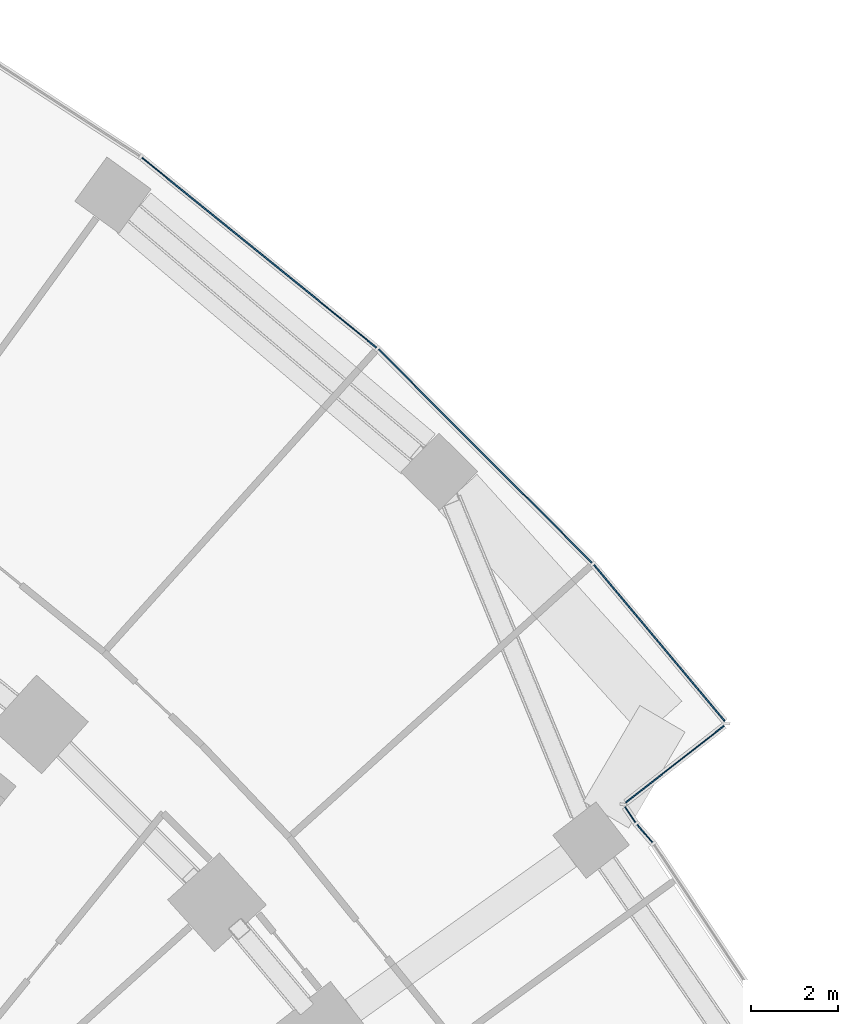
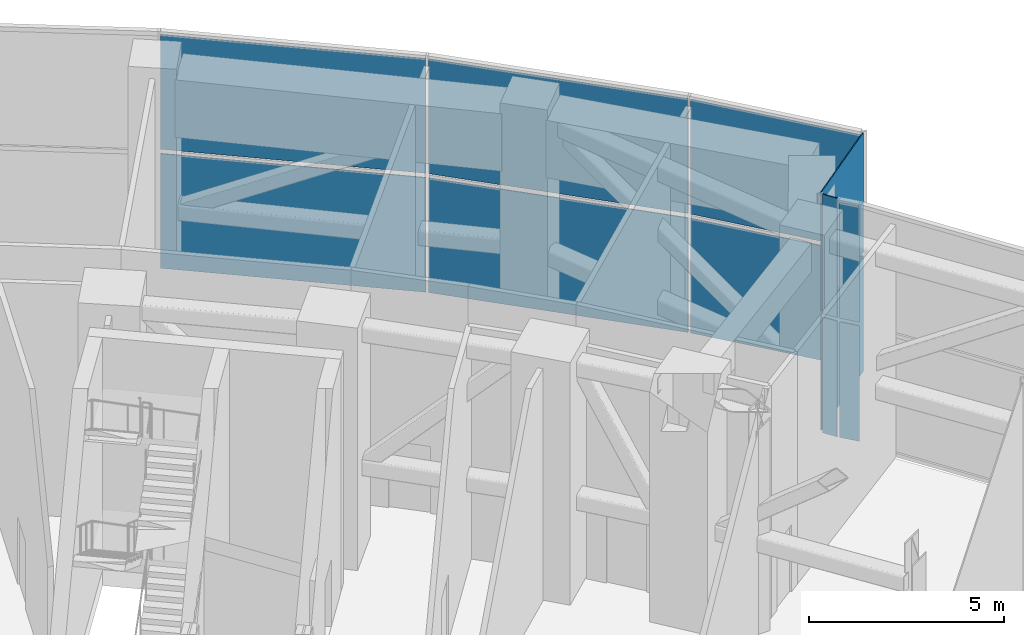
# One storey, part 20 of 33: 12 plates, 4 elements without a shape of their own.
"""IFC4 building model written with IfcOpenShell, lengths in metres."""

from ifc_helpers import new_model, si_unit, direction, frame, origin, origin_2d, place, context, subcontext, project, spatial, rectangle, extrude, material, layer, layer_set, type_object, element, aggregate, save


model = new_model("IFC4")

# Units and contexts
model_context = context("Model", 3, precision=1e-05, world=origin(), true_north=direction((0.0, 1.0)))
body_context = subcontext(model_context, "Body", "Model", "MODEL_VIEW")
ifc_project = project(units=[si_unit("LENGTHUNIT", "METRE"), si_unit("AREAUNIT", "SQUARE_METRE"), si_unit("VOLUMEUNIT", "CUBIC_METRE"), si_unit("PLANEANGLEUNIT", "RADIAN"), si_unit("MASSUNIT", "GRAM", prefix="KILO")], contexts=[model_context])

# Site, building, storey
site_placement = place(None, origin())
site = spatial("IfcSite", under=ifc_project, at=site_placement, CompositionType="ELEMENT")
building_placement = place(site_placement, origin())
building = spatial("IfcBuilding", under=site, at=building_placement, Name="Stone Belt Terrace Tower", CompositionType="ELEMENT")
storey_placement = place(building_placement, frame((0.0, 0.0, 79.39990234375)))
storey = spatial("IfcBuildingStorey", under=building, at=storey_placement, Name="L19", CompositionType="ELEMENT", Elevation=79.39990234375)

# Curtain wall, plates
ifc_material_1 = material(Name="Aluminium 6063-T6 anodised frame", Category="aluminium")
ifc_layer_1 = layer(ifc_material_1, 0.14990234375)
ifc_layer_set_1 = layer_set([ifc_layer_1], Name="CW-A unitised convex-face curtain wall")
curtain_wall_type_1 = type_object("IfcCurtainWallType", Name="CW-A unitised convex-face curtain wall", PredefinedType="NOTDEFINED", material=ifc_layer_set_1)
curtain_wall_1_placement = place(storey_placement, origin())
curtain_wall_1 = element("IfcCurtainWall", 1, at=curtain_wall_1_placement, inside=storey, type_object=curtain_wall_type_1, Name="CW-A convex face L19", PredefinedType="NOTDEFINED")
ifc_material_2 = material(Name="Terracotta coloured glazed ceramic", Category="masonry")
ifc_layer_2 = layer(ifc_material_2, 0.031982421875)
ifc_layer_set_2 = layer_set([ifc_layer_2], Name="CW-A ceramic louvre panel 32")
plate_type_1 = type_object("IfcPlateType", Name="CW-A ceramic louvre panel 32", PredefinedType="CURTAIN_PANEL", material=ifc_layer_set_2)
plate_1_placement = place(storey_placement, frame((50.993896484375, 42.73583984375, 0.14013671875), z_axis=(0.0, 0.0, 1.0), x_axis=(-0.642509184121, 0.766277983711, 0.0)))
plate_1 = element("IfcPlate", 2, at=plate_1_placement, type_object=plate_type_1, Name="CW-A louvre panel 1.1", PredefinedType="CURTAIN_PANEL", context=body_context, shape_type="SweptSolid", body=[
    extrude(rectangle(XDim=4.662841796875, YDim=0.031982421875, at=origin_2d()), origin(), (0.0, 0.0, 1.0), 3.590087890625),
])
plate_2_placement = place(storey_placement, frame((50.993896484375, 42.73583984375, 3.8701171875), z_axis=(0.0, 0.0, 1.0), x_axis=(-0.642509184121, 0.766277983711, 0.0)))
plate_2 = element("IfcPlate", 3, at=plate_2_placement, type_object=plate_type_1, Name="CW-A louvre panel 1.2", PredefinedType="CURTAIN_PANEL", context=body_context, shape_type="SweptSolid", body=[
    extrude(rectangle(XDim=4.662841796875, YDim=0.031982421875, at=origin_2d()), origin(), (0.0, 0.0, 1.0), 3.590087890625),
])
plate_3_placement = place(storey_placement, frame((47.01123046875, 47.01123046875, 0.14013671875), z_axis=(0.0, 0.0, 1.0), x_axis=(-0.707106781187, 0.707106781187, 0.0)))
plate_3 = element("IfcPlate", 4, at=plate_3_placement, type_object=plate_type_1, Name="CW-A louvre panel 2.1", PredefinedType="CURTAIN_PANEL", context=body_context, shape_type="SweptSolid", body=[
    extrude(rectangle(XDim=6.90087890625, YDim=0.031982421875, at=origin_2d()), origin(), (0.0, 0.0, 1.0), 3.590087890625),
])
plate_4_placement = place(storey_placement, frame((47.01123046875, 47.01123046875, 3.8701171875), z_axis=(0.0, 0.0, 1.0), x_axis=(-0.707106781187, 0.707106781187, 0.0)))
plate_4 = element("IfcPlate", 5, at=plate_4_placement, type_object=plate_type_1, Name="CW-A louvre panel 2.2", PredefinedType="CURTAIN_PANEL", context=body_context, shape_type="SweptSolid", body=[
    extrude(rectangle(XDim=6.90087890625, YDim=0.031982421875, at=origin_2d()), origin(), (0.0, 0.0, 1.0), 3.590087890625),
])
plate_5_placement = place(storey_placement, frame((41.839599609375, 51.667724609375, 0.14013671875), z_axis=(0.0, 0.0, 1.0), x_axis=(-0.777145961457, 0.62932039105, 0.0)))
plate_5 = element("IfcPlate", 6, at=plate_5_placement, type_object=plate_type_1, Name="CW-A louvre panel 3.1", PredefinedType="CURTAIN_PANEL", context=body_context, shape_type="SweptSolid", body=[
    extrude(rectangle(XDim=6.90087890625, YDim=0.031982421875, at=origin_2d()), origin(), (0.0, 0.0, 1.0), 3.590087890625),
])
plate_6_placement = place(storey_placement, frame((41.839599609375, 51.667724609375, 3.8701171875), z_axis=(0.0, 0.0, 1.0), x_axis=(-0.777145961457, 0.62932039105, 0.0)))
plate_6 = element("IfcPlate", 7, at=plate_6_placement, type_object=plate_type_1, Name="CW-A louvre panel 3.2", PredefinedType="CURTAIN_PANEL", context=body_context, shape_type="SweptSolid", body=[
    extrude(rectangle(XDim=6.90087890625, YDim=0.031982421875, at=origin_2d()), origin(), (0.0, 0.0, 1.0), 3.590087890625),
])
aggregate(curtain_wall_1, [plate_1, plate_2, plate_3, plate_4, plate_5, plate_6])

ifc_layer_3 = layer(ifc_material_1, 0.14990234375)
ifc_layer_set_3 = layer_set([ifc_layer_3], Name="CW-C stick curtain wall, horn ends and notches")
curtain_wall_type_2 = type_object("IfcCurtainWallType", Name="CW-C stick curtain wall, horn ends and notches", PredefinedType="NOTDEFINED", material=ifc_layer_set_3)
curtain_wall_2_placement = place(storey_placement, origin())
curtain_wall_2 = element("IfcCurtainWall", 8, at=curtain_wall_2_placement, inside=storey, type_object=curtain_wall_type_2, Name="CW-C end face L19", PredefinedType="NOTDEFINED")
ifc_layer_4 = layer(ifc_material_2, 0.028076171875)
ifc_layer_set_4 = layer_set([ifc_layer_4], Name="CW-C ceramic louvre panel 28")
plate_type_2 = type_object("IfcPlateType", Name="CW-C ceramic louvre panel 28", PredefinedType="CURTAIN_PANEL", material=ifc_layer_set_4)
plate_7_placement = place(storey_placement, frame((50.661865234375, 38.37548828125, 0.1201171875), z_axis=(0.0, 0.0, 1.0), x_axis=(-0.652737860281, 0.757583847343, 0.0)))
plate_7 = element("IfcPlate", 9, at=plate_7_placement, type_object=plate_type_2, Name="CW-C louvre panel 1.1", PredefinedType="CURTAIN_PANEL", context=body_context, shape_type="SweptSolid", body=[
    extrude(rectangle(XDim=0.534912109375, YDim=0.028076171875, at=origin_2d()), origin(), (0.0, 0.0, 1.0), 3.6201171875),
])
plate_8_placement = place(storey_placement, frame((50.661865234375, 38.37548828125, 3.860107421875), z_axis=(0.0, 0.0, 1.0), x_axis=(-0.652737860281, 0.757583847343, 0.0)))
plate_8 = element("IfcPlate", 10, at=plate_8_placement, type_object=plate_type_2, Name="CW-C louvre panel 1.2", PredefinedType="CURTAIN_PANEL", context=body_context, shape_type="SweptSolid", body=[
    extrude(rectangle(XDim=0.534912109375, YDim=0.028076171875, at=origin_2d()), origin(), (0.0, 0.0, 1.0), 3.6201171875),
])
aggregate(curtain_wall_2, [plate_7, plate_8])

curtain_wall_3_placement = place(storey_placement, origin())
curtain_wall_3 = element("IfcCurtainWall", 11, at=curtain_wall_3_placement, inside=storey, type_object=curtain_wall_type_2, Name="CW-C end face L19", PredefinedType="NOTDEFINED")
plate_9_placement = place(storey_placement, frame((50.32763671875, 38.806884765625, 0.1201171875), z_axis=(0.0, 0.0, 1.0), x_axis=(-0.560367245622, 0.828244257471, 0.0)))
plate_9 = element("IfcPlate", 12, at=plate_9_placement, type_object=plate_type_2, Name="CW-C louvre panel 1.1", PredefinedType="CURTAIN_PANEL", context=body_context, shape_type="SweptSolid", body=[
    extrude(rectangle(XDim=0.421630859375, YDim=0.028076171875, at=origin_2d()), origin(), (0.0, 0.0, 1.0), 3.6201171875),
])
plate_10_placement = place(storey_placement, frame((50.32763671875, 38.806884765625, 3.85986328125), z_axis=(0.0, 0.0, 1.0), x_axis=(-0.560367245622, 0.828244257471, 0.0)))
plate_10 = element("IfcPlate", 13, at=plate_10_placement, type_object=plate_type_2, Name="CW-C louvre panel 1.2", PredefinedType="CURTAIN_PANEL", context=body_context, shape_type="SweptSolid", body=[
    extrude(rectangle(XDim=0.421630859375, YDim=0.028076171875, at=origin_2d()), origin(), (0.0, 0.0, 1.0), 3.739990234375),
])
aggregate(curtain_wall_3, [plate_9, plate_10])

curtain_wall_4_placement = place(storey_placement, origin())
curtain_wall_4 = element("IfcCurtainWall", 14, at=curtain_wall_4_placement, inside=storey, type_object=curtain_wall_type_2, Name="CW-C notch face L19", PredefinedType="NOTDEFINED")
plate_11_placement = place(storey_placement, frame((51.353515625, 39.966552734375, 0.1201171875), z_axis=(0.0, 0.0, 1.0), x_axis=(0.788458012337, 0.615088581248, 0.0)))
plate_11 = element("IfcPlate", 15, at=plate_11_placement, type_object=plate_type_2, Name="CW-C louvre panel 1.1", PredefinedType="CURTAIN_PANEL", context=body_context, shape_type="SweptSolid", body=[
    extrude(rectangle(XDim=2.859619140625, YDim=0.028076171875, at=origin_2d()), origin(), (0.0, 0.0, 1.0), 3.6201171875),
])
plate_12_placement = place(storey_placement, frame((51.353515625, 39.966552734375, 3.85986328125), z_axis=(0.0, 0.0, 1.0), x_axis=(0.788458012337, 0.615088581248, 0.0)))
plate_12 = element("IfcPlate", 16, at=plate_12_placement, type_object=plate_type_2, Name="CW-C louvre panel 1.2", PredefinedType="CURTAIN_PANEL", context=body_context, shape_type="SweptSolid", body=[
    extrude(rectangle(XDim=2.859619140625, YDim=0.028076171875, at=origin_2d()), origin(), (0.0, 0.0, 1.0), 3.739990234375),
])
aggregate(curtain_wall_4, [plate_11, plate_12])

save(model, "model.ifc")
